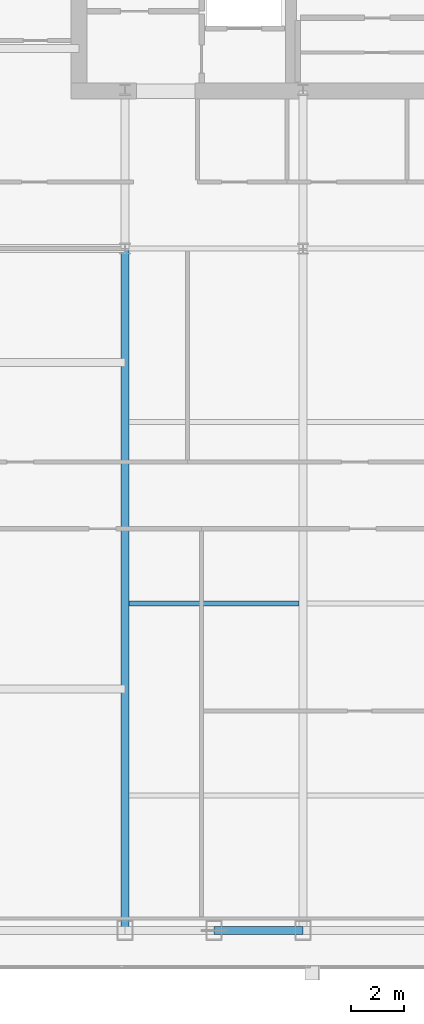
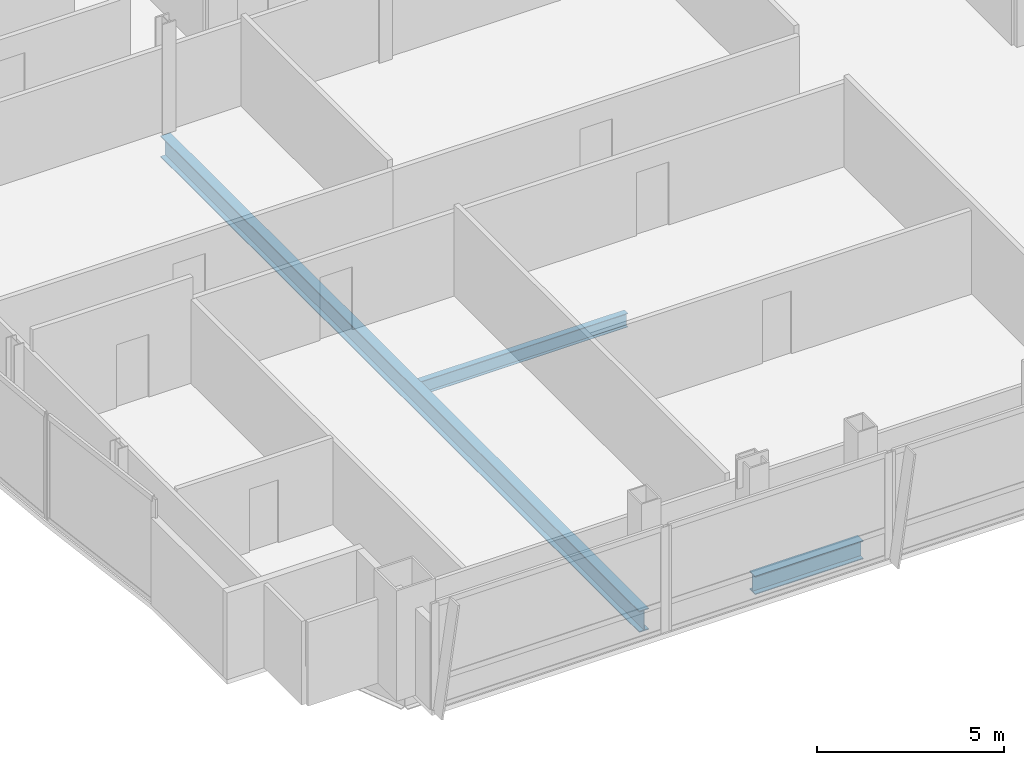
# One storey, part 7 of 32: 3 beams.
"""IFC4 building model written with IfcOpenShell, lengths in metres."""

import ifcopenshell
import ifcopenshell.guid

model = None  # the IFC model being written
_history = None  # IfcOwnerHistory: only IFC2X3 demands one
_inside = {}  # id of a spatial element -> (the spatial element, [elements in it])
_under = {}  # id of a project, library or spatial element -> (it, [spatial elements below it])
_declared = {}  # id of a project -> (the project, [libraries it declares])
_typed = {}  # id of a type object -> (the type object, [elements of that type])
_made_of = {}  # id of a material, layer set ... -> (it, [elements and type objects made of it])


def new_model(schema):
    """Start an empty IFC model of exactly this schema.

    Asked for "IFC4X3", IfcOpenShell would pick the latest addendum, in which some entities
    have other attributes; the version numbers below select the first issue.
    IFC2X3 requires an IfcOwnerHistory on every rooted entity: one is made here for all.
    """
    global model, _history
    if schema == "IFC4X3":
        model = ifcopenshell.file(schema_version=(4, 3, 0, 0))
    else:
        model = ifcopenshell.file(schema=schema)
    _inside.clear()
    _under.clear()
    _declared.clear()
    _typed.clear()
    _made_of.clear()
    _history = None
    if model.schema == "IFC2X3":
        org = make("IfcOrganization", Name="unknown")
        user = make(
            "IfcPersonAndOrganization",
            ThePerson=make("IfcPerson", FamilyName="unknown"),
            TheOrganization=org,
        )
        app = make(
            "IfcApplication",
            ApplicationDeveloper=org,
            Version="unknown",
            ApplicationFullName="unknown",
            ApplicationIdentifier="unknown",
        )
        _history = make(
            "IfcOwnerHistory",
            OwningUser=user,
            OwningApplication=app,
            ChangeAction="ADDED",
            CreationDate=0,
        )
    return model


def make(cls, **values):
    """One entity of the class cls with the attributes given. An attribute that is None is left unset."""
    return model.create_entity(
        cls, **{name: value for name, value in values.items() if value is not None}
    )


def rooted(cls, **values):
    """An entity with a GlobalId (a new one), such as an element, a storey or a relation."""
    return make(cls, GlobalId=ifcopenshell.guid.new(), OwnerHistory=_history, **values)


def si_unit(unit_type, name, prefix=None):
    """IfcSIUnit, for example si_unit("LENGTHUNIT", "METRE", prefix="MILLI")."""
    return make("IfcSIUnit", UnitType=unit_type, Prefix=prefix, Name=name)


def assignment(units):
    """IfcUnitAssignment: the units of a project."""
    return None if units is None else make("IfcUnitAssignment", Units=units)


def point(xyz):
    """IfcCartesianPoint."""
    return None if xyz is None else make("IfcCartesianPoint", Coordinates=xyz)


def direction(xyz):
    """IfcDirection."""
    return None if xyz is None else make("IfcDirection", DirectionRatios=xyz)


def frame(location, z_axis=None, x_axis=None):
    """IfcAxis2Placement3D, a coordinate frame: its origin and axes. An axis left out is left unset."""
    return make(
        "IfcAxis2Placement3D",
        Location=point(location),
        Axis=direction(z_axis),
        RefDirection=direction(x_axis),
    )


def frame_2d(location, x_axis=None):
    """IfcAxis2Placement2D, a coordinate frame in the plane: its origin and x axis."""
    return make(
        "IfcAxis2Placement2D", Location=point(location), RefDirection=direction(x_axis)
    )


def origin():
    """The frame at (0, 0, 0) with its axes left unset."""
    return frame((0.0, 0.0, 0.0))


def origin_2d():
    """The frame at (0, 0) in the plane with its x axis left unset."""
    return frame_2d((0.0, 0.0))


def place(relative_to, where):
    """IfcLocalPlacement: puts the frame where relative to a parent placement (None: the world)."""
    return make(
        "IfcLocalPlacement", PlacementRelTo=relative_to, RelativePlacement=where
    )


def context(
    kind, dimensions, precision=None, world=None, true_north=None, identifier=None
):
    """IfcGeometricRepresentationContext, for example the 3D "Model" context."""
    return make(
        "IfcGeometricRepresentationContext",
        ContextIdentifier=identifier,
        ContextType=kind,
        CoordinateSpaceDimension=dimensions,
        Precision=precision,
        WorldCoordinateSystem=world,
        TrueNorth=true_north,
    )


def subcontext(parent, identifier, kind, view, scale=None):
    """IfcGeometricRepresentationSubContext, for example "Body" below "Model"."""
    return make(
        "IfcGeometricRepresentationSubContext",
        ContextIdentifier=identifier,
        ContextType=kind,
        ParentContext=parent,
        TargetScale=scale,
        TargetView=view,
    )


def project(units=None, contexts=None):
    """IfcProject with its units and contexts."""
    return rooted(
        "IfcProject",
        Name="project",
        RepresentationContexts=contexts,
        UnitsInContext=assignment(units),
    )


def spatial(cls, under=None, at=None, **own):
    """A site, building, storey or space (cls), placed at a placement, below another one or the project."""
    s = rooted(cls, ObjectPlacement=at, **own)
    if under is not None:
        _under.setdefault(under.id(), (under, []))[1].append(s)
    return s


def profile(cls, at=None, kind="AREA", **sizes):
    """A parametric profile (cls). Its sizes go by their IFC names, for example OverallWidth=200.0."""
    return make(cls, ProfileType=kind, Position=at, **sizes)


def i_section(**sizes):
    """IfcIShapeProfileDef."""
    return profile("IfcIShapeProfileDef", **sizes)


def extrude(swept, where, along, depth):
    """IfcExtrudedAreaSolid: the profile swept, set in the frame where, extruded along a direction by depth."""
    return make(
        "IfcExtrudedAreaSolid",
        SweptArea=swept,
        Position=where,
        ExtrudedDirection=direction(along),
        Depth=depth,
    )


def shape(context_of_items, identifier, shape_type, items):
    """IfcShapeRepresentation: the items that make up one representation, for example the "Body"."""
    return make(
        "IfcShapeRepresentation",
        ContextOfItems=context_of_items,
        RepresentationIdentifier=identifier,
        RepresentationType=shape_type,
        Items=items,
    )


def material(Name=None, Category=None):
    """IfcMaterial."""
    return make("IfcMaterial", Name=Name, Category=Category)


def material_profile(
    of_material, cross_section, Name=None, Category=None, Priority=None
):
    """IfcMaterialProfile: a cross section and its material."""
    return make(
        "IfcMaterialProfile",
        Name=Name,
        Material=of_material,
        Profile=cross_section,
        Priority=Priority,
        Category=Category,
    )


def profile_set(profiles, Name=None, composite=None):
    """IfcMaterialProfileSet."""
    return make(
        "IfcMaterialProfileSet",
        Name=Name,
        MaterialProfiles=profiles,
        CompositeProfile=composite,
    )


def made_of(thing, what):
    """Note that an element or type object is made of a material, layer set ...; save() writes the relation."""
    if what is not None:
        _made_of.setdefault(what.id(), (what, []))[1].append(thing)
    return thing


def type_object(cls, material=None, **own):
    """A type object (cls), such as IfcWallType, which elements share."""
    return made_of(rooted(cls, **own), material)


def element(
    cls,
    number,
    at=None,
    inside=None,
    cuts=None,
    type_object=None,
    material=None,
    context=None,
    identifier="Body",
    shape_type=None,
    held_by="IfcProductDefinitionShape",
    body=None,
    shapes=None,
    **own,
):
    """One element of the class cls, such as IfcWall. Its Tag is "e" and its number.

    at: its placement. inside: the storey or other place that contains it. cuts: it is an
    opening in that element (IfcRelVoidsElement). A single representation is given by context,
    identifier, shape_type and body (its items); several are given by shapes. held_by: the class
    of the entity that holds the representations. save() writes the other relations.
    """
    e = rooted(cls, Tag="e%d" % number, ObjectPlacement=at, **own)
    if body is not None:
        shapes = [shape(context, identifier, shape_type, body)]
    if shapes is not None:
        e.Representation = make(held_by, Representations=shapes)
    if inside is not None:
        _inside.setdefault(inside.id(), (inside, []))[1].append(e)
    if cuts is not None:
        rooted(
            "IfcRelVoidsElement", RelatingBuildingElement=cuts, RelatedOpeningElement=e
        )
    if type_object is not None:
        _typed.setdefault(type_object.id(), (type_object, []))[1].append(e)
    return made_of(e, material)


def aggregate(whole, parts):
    """IfcRelAggregates: a whole, such as a stair, and the parts it consists of."""
    return rooted("IfcRelAggregates", RelatingObject=whole, RelatedObjects=parts)


def save(model, path):
    """Write the relations noted so far, then the file.

    IfcRelAggregates (storeys below a building ...), IfcRelContainedInSpatialStructure (elements
    in a storey), IfcRelDefinesByType, IfcRelAssociatesMaterial and IfcRelDeclares: one each for
    every whole, place, type object, material and project.
    """
    for whole, parts in _under.values():
        aggregate(whole, parts)
    for where, things in _inside.values():
        rooted(
            "IfcRelContainedInSpatialStructure",
            RelatedElements=things,
            RelatingStructure=where,
        )
    for kind, things in _typed.values():
        rooted("IfcRelDefinesByType", RelatedObjects=things, RelatingType=kind)
    for what, things in _made_of.values():
        rooted("IfcRelAssociatesMaterial", RelatedObjects=things, RelatingMaterial=what)
    for by, libraries in _declared.values():
        rooted("IfcRelDeclares", RelatingContext=by, RelatedDefinitions=libraries)
    model.write(path)


model = new_model("IFC4")

# Units and contexts
model_context = context("Model", 3, precision=1e-05, world=origin(), true_north=direction((0.0, 1.0)))
body_context = subcontext(model_context, "Body", "Model", "MODEL_VIEW")
ifc_project = project(units=[si_unit("LENGTHUNIT", "METRE"), si_unit("AREAUNIT", "SQUARE_METRE"), si_unit("VOLUMEUNIT", "CUBIC_METRE"), si_unit("PLANEANGLEUNIT", "RADIAN"), si_unit("MASSUNIT", "GRAM", prefix="KILO")], contexts=[model_context])

# Site, building, storey
site_placement = place(None, origin())
site = spatial("IfcSite", under=ifc_project, at=site_placement, CompositionType="ELEMENT")
building_placement = place(site_placement, origin())
building = spatial("IfcBuilding", under=site, at=building_placement, Name="Khoronbel Lancet Exchange", CompositionType="ELEMENT")
storey_placement = place(building_placement, frame((0.0, 0.0, 195.800048828125)))
storey = spatial("IfcBuildingStorey", under=building, at=storey_placement, Name="L49", CompositionType="ELEMENT", Elevation=195.800048828125)

# Beams
ifc_material = material(Name="Steel S355", Category="steel")
ifc_material_profile_1 = material_profile(ifc_material, i_section(OverallWidth=0.300048828125, OverallDepth=0.699951171875, WebThickness=0.01708984375, FlangeThickness=0.031982421875, at=origin_2d()), Name="HEB 700")
ifc_profile_set_1 = profile_set([ifc_material_profile_1], Name="Steel S355")
beam_type_1 = type_object("IfcBeamType", Name="BM-BG3", PredefinedType="BEAM", material=ifc_profile_set_1)
beam_1_placement = place(storey_placement, frame((18.22509765625, 10.14990234375, -0.510009765625), z_axis=(0.0, 1.0, 0.0), x_axis=(-1.0, 0.0, 0.0)))
element("IfcBeam", 1, at=beam_1_placement, inside=storey, type_object=beam_type_1, Name="Level L49 south primary girder GS1", PredefinedType="BEAM", context=body_context, shape_type="SweptSolid", body=[
    extrude(i_section(OverallWidth=0.300048828125, OverallDepth=0.699951171875, WebThickness=0.01708984375, FlangeThickness=0.031982421875, at=origin_2d()), origin(), (0.0, 0.0, 1.0), 25.550048828125),
])
ifc_material_profile_2 = material_profile(ifc_material, i_section(OverallWidth=0.18994140625, OverallDepth=0.449951171875, WebThickness=0.009521484375, FlangeThickness=0.0146484375, at=origin_2d()), Name="IPE 450")
ifc_profile_set_2 = profile_set([ifc_material_profile_2], Name="Steel S355")
beam_type_2 = type_object("IfcBeamType", Name="BM-BJ4", PredefinedType="JOIST", material=ifc_profile_set_2)
beam_2_placement = place(storey_placement, frame((18.375, 22.39990234375, -0.385009765625), z_axis=(1.0, 0.0, 0.0), x_axis=(0.0, 1.0, 0.0)))
element("IfcBeam", 2, at=beam_2_placement, inside=storey, type_object=beam_type_2, Name="Level L49 secondary composite joist J06", PredefinedType="JOIST", context=body_context, shape_type="SweptSolid", body=[
    extrude(i_section(OverallWidth=0.18994140625, OverallDepth=0.449951171875, WebThickness=0.009521484375, FlangeThickness=0.0146484375, at=origin_2d()), origin(), (0.0, 0.0, 1.0), 6.375),
])
ifc_material_profile_3 = material_profile(ifc_material, i_section(OverallWidth=0.300048828125, OverallDepth=0.60009765625, WebThickness=0.015380859375, FlangeThickness=0.030029296875, at=origin_2d()), Name="HEB 600")
ifc_profile_set_3 = profile_set([ifc_material_profile_3], Name="Steel S355")
beam_type_3 = type_object("IfcBeamType", Name="BM-BSP2", PredefinedType="SPANDREL", material=ifc_profile_set_3)
beam_3_placement = place(storey_placement, frame((21.5625, 10.14990234375, -0.4599609375), z_axis=(1.0, 0.0, 0.0), x_axis=(0.0, 1.0, 0.0)))
element("IfcBeam", 3, at=beam_3_placement, inside=storey, type_object=beam_type_3, Name="Level L49 perimeter spandrel beam SP03", PredefinedType="SPANDREL", context=body_context, shape_type="SweptSolid", body=[
    extrude(i_section(OverallWidth=0.300048828125, OverallDepth=0.60009765625, WebThickness=0.015380859375, FlangeThickness=0.030029296875, at=origin_2d()), origin(), (0.0, 0.0, 1.0), 3.33740234375),
])

save(model, "model.ifc")
